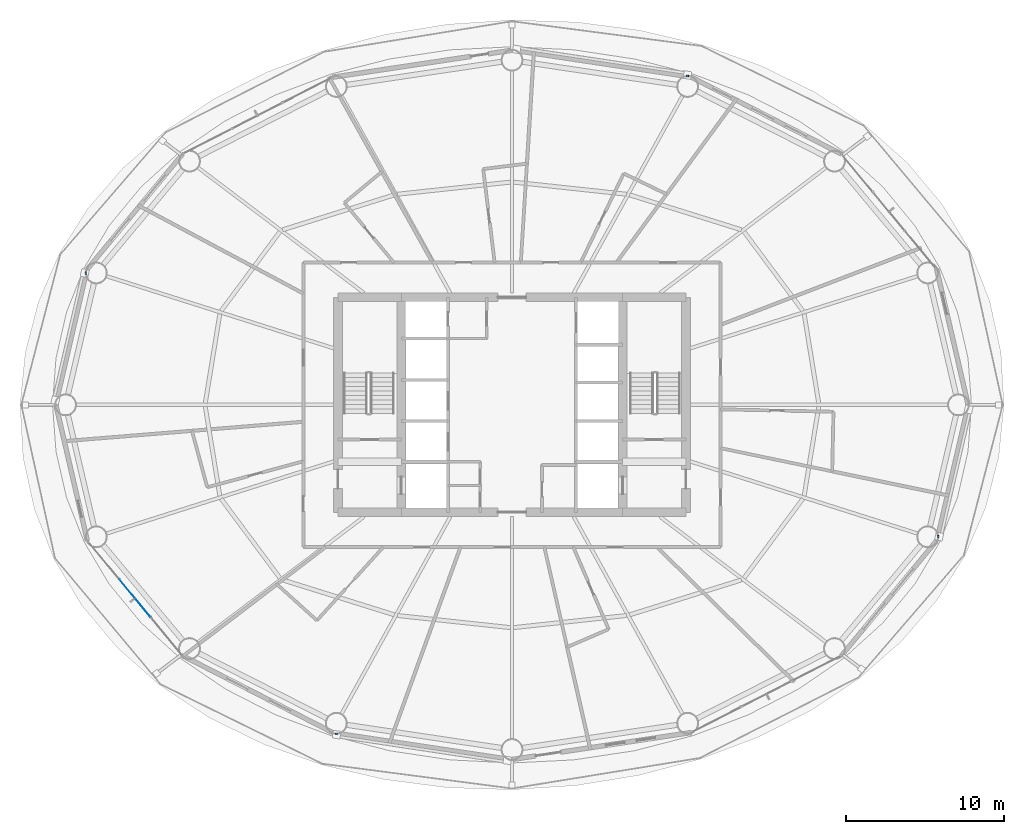
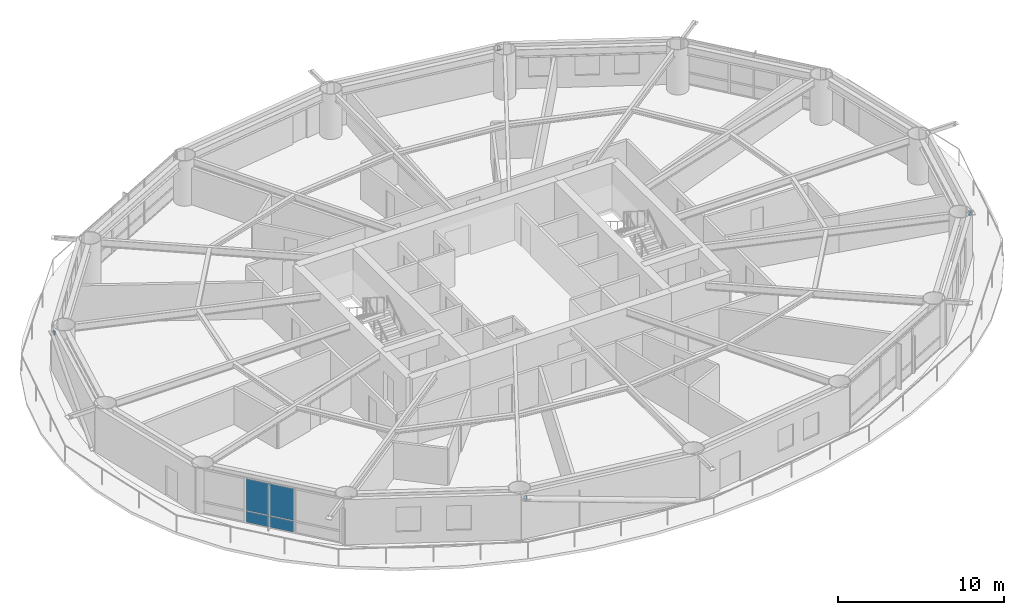
# One storey, part 13 of 24: 4 members, 2 plates, 1 element without a shape of its own.
"""IFC4 building model written with IfcOpenShell, lengths in metres."""

from ifc_helpers import new_model, si_unit, direction, frame, origin, origin_2d, place, context, subcontext, project, spatial, rectangle, hollow_rectangle, extrude, material, layer, layer_set, material_profile, profile_set, type_object, element, aggregate, save


model = new_model("IFC4")

# Units and contexts
model_context = context("Model", 3, precision=1e-05, world=origin(), true_north=direction((0.0, 1.0)))
body_context = subcontext(model_context, "Body", "Model", "MODEL_VIEW")
ifc_project = project(units=[si_unit("LENGTHUNIT", "METRE"), si_unit("AREAUNIT", "SQUARE_METRE"), si_unit("VOLUMEUNIT", "CUBIC_METRE"), si_unit("PLANEANGLEUNIT", "RADIAN"), si_unit("MASSUNIT", "GRAM", prefix="KILO")], contexts=[model_context])

# Site, building, storey
site_placement = place(None, origin())
site = spatial("IfcSite", under=ifc_project, at=site_placement, CompositionType="ELEMENT")
building_placement = place(site_placement, origin())
building = spatial("IfcBuilding", under=site, at=building_placement, Name="Sarneth Arch Tower", CompositionType="ELEMENT")
storey_placement = place(building_placement, frame((0.0, 0.0, 130.800048828125)))
storey = spatial("IfcBuildingStorey", under=building, at=storey_placement, Name="L33", CompositionType="ELEMENT", Elevation=130.800048828125)

# Members
ifc_material_1 = material(Name="Steel S355", Category="steel")
ifc_material_profile = material_profile(ifc_material_1, hollow_rectangle(XDim=0.199951171875, YDim=0.300048828125, WallThickness=0.012451171875, InnerFilletRadius=0.018798828125, OuterFilletRadius=0.03125, at=origin_2d()), Name="RHS300x200x12.5")
ifc_profile_set = profile_set([ifc_material_profile], Name="Steel S355")
member_type = type_object("IfcMemberType", Name="MEM-CANT-STRUT", PredefinedType="STRUT", material=ifc_profile_set)
member_1_placement = place(storey_placement, frame((59.095458984375, 62.747802734375, 2.953369140625), z_axis=(-0.024010543142, 0.999711705352, 0.0), x_axis=(-0.999711705352, -0.024010543142, 0.0)))
element("IfcMember", 1, at=member_1_placement, inside=storey, type_object=member_type, Name="L33 Exoskeleton brace node strut 04B", PredefinedType="STRUT", context=body_context, shape_type="SweptSolid", body=[
    extrude(hollow_rectangle(XDim=0.199951171875, YDim=0.300048828125, WallThickness=0.012451171875, InnerFilletRadius=0.018798828125, OuterFilletRadius=0.03125, at=origin_2d()), origin(), (0.0, 0.0, 1.0), 0.11181640625),
])
member_2_placement = place(storey_placement, frame((21.101318359375, 50.331787109375, 2.953369140625), z_axis=(-0.999834751713, -0.018178813668, 0.0), x_axis=(0.018178813668, -0.999834751713, 0.0)))
element("IfcMember", 2, at=member_2_placement, inside=storey, type_object=member_type, Name="L33 Exoskeleton brace node strut 08B", PredefinedType="STRUT", context=body_context, shape_type="SweptSolid", body=[
    extrude(hollow_rectangle(XDim=0.199951171875, YDim=0.300048828125, WallThickness=0.012451171875, InnerFilletRadius=0.018798828125, OuterFilletRadius=0.03125, at=origin_2d()), origin(), (0.0, 0.0, 1.0), 0.120849609375),
])
member_3_placement = place(storey_placement, frame((36.904541015625, 21.252197265625, 2.953369140625), z_axis=(0.024010543142, -0.999711705352, 0.0), x_axis=(0.999711705352, 0.024010543142, 0.0)))
element("IfcMember", 3, at=member_3_placement, inside=storey, type_object=member_type, Name="L33 Exoskeleton brace node strut 12B", PredefinedType="STRUT", context=body_context, shape_type="SweptSolid", body=[
    extrude(hollow_rectangle(XDim=0.199951171875, YDim=0.300048828125, WallThickness=0.012451171875, InnerFilletRadius=0.018798828125, OuterFilletRadius=0.03125, at=origin_2d()), origin(), (0.0, 0.0, 1.0), 0.11181640625),
])
member_4_placement = place(storey_placement, frame((74.898681640625, 33.668212890625, 2.953369140625), z_axis=(0.999834751713, 0.018178813668, 0.0), x_axis=(-0.018178813668, 0.999834751713, 0.0)))
element("IfcMember", 4, at=member_4_placement, inside=storey, type_object=member_type, Name="L33 Exoskeleton brace node strut 16B", PredefinedType="STRUT", context=body_context, shape_type="SweptSolid", body=[
    extrude(hollow_rectangle(XDim=0.199951171875, YDim=0.300048828125, WallThickness=0.012451171875, InnerFilletRadius=0.018798828125, OuterFilletRadius=0.03125, at=origin_2d()), origin(), (0.0, 0.0, 1.0), 0.120849609375),
])

# Curtain wall, plates
ifc_material_2 = material(Name="Anodised aluminium Type AA25 and solar-control low-e laminated IGU", Category="aluminium")
ifc_layer_1 = layer(ifc_material_2, 0.159912109375)
ifc_layer_set_1 = layer_set([ifc_layer_1], Name="Anodised aluminium Type AA25 and solar-control low-e laminated IGU")
curtain_wall_type = type_object("IfcCurtainWallType", Name="CW-HOTEL-MID", PredefinedType="NOTDEFINED", material=ifc_layer_set_1)
curtain_wall_placement = place(storey_placement, origin())
curtain_wall = element("IfcCurtainWall", 5, at=curtain_wall_placement, inside=storey, type_object=curtain_wall_type, Name="L33 Unitised curtain wall facet 10", PredefinedType="NOTDEFINED")
ifc_material_3 = material(Name="Solar-control low-e laminated IGU", Category="glass")
ifc_layer_2 = layer(ifc_material_3, 0.028076171875)
ifc_layer_set_2 = layer_set([ifc_layer_2], Name="Solar-control low-e laminated IGU")
plate_type = type_object("IfcPlateType", Name="CW-PANEL", PredefinedType="CURTAIN_PANEL", material=ifc_layer_set_2)
plate_1_placement = place(storey_placement, frame((24.1494140625, 29.778076171875, 0.059814453125), z_axis=(0.0, 0.0, 1.0), x_axis=(0.637515188684, -0.770437787363, 0.0)))
plate_1 = element("IfcPlate", 6, at=plate_1_placement, type_object=plate_type, Name="Curtain wall glazed vision pane CW-L33-F10/P01-00", PredefinedType="CURTAIN_PANEL", context=body_context, shape_type="SweptSolid", body=[
    extrude(rectangle(XDim=3.08837890625, YDim=0.028076171875, at=origin_2d()), origin(), (0.0, 0.0, 1.0), 0.81005859375),
])
plate_2_placement = place(storey_placement, frame((24.1494140625, 29.778076171875, 0.929931640625), z_axis=(0.0, 0.0, 1.0), x_axis=(0.637515188684, -0.770437787363, 0.0)))
plate_2 = element("IfcPlate", 7, at=plate_2_placement, type_object=plate_type, Name="Curtain wall glazed vision pane CW-L33-F10/P01-01", PredefinedType="CURTAIN_PANEL", context=body_context, shape_type="SweptSolid", body=[
    extrude(rectangle(XDim=3.08837890625, YDim=0.028076171875, at=origin_2d()), origin(), (0.0, 0.0, 1.0), 2.330078125),
])
aggregate(curtain_wall, [plate_1, plate_2])

save(model, "model.ifc")
